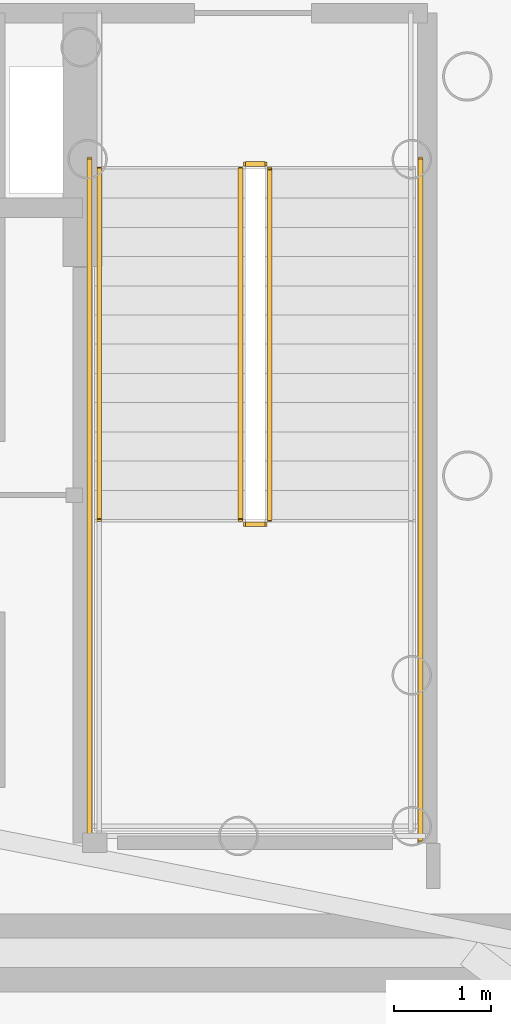
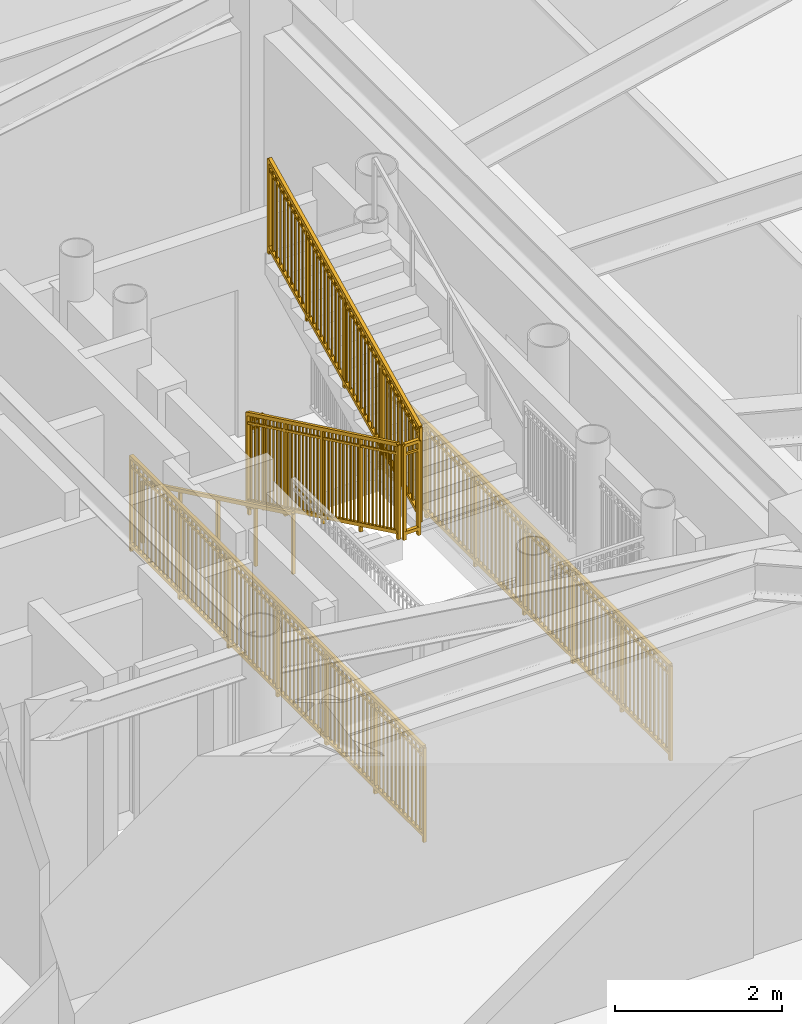
# One storey, part 20 of 21: 7 railings.
"""IFC4 building model written with IfcOpenShell, lengths in metres."""

from ifc_helpers import new_model, si_unit, direction, frame, origin, origin_2d, place, context, subcontext, project, spatial, rectangle, extrude, source, transform, mapped, material, type_object, element, save


model = new_model("IFC4")

# Units and contexts
model_context = context("Model", 3, precision=1e-05, world=origin(), true_north=direction((0.0, 1.0)))
body_context = subcontext(model_context, "Body", "Model", "MODEL_VIEW")
ifc_project = project(units=[si_unit("LENGTHUNIT", "METRE"), si_unit("AREAUNIT", "SQUARE_METRE"), si_unit("VOLUMEUNIT", "CUBIC_METRE"), si_unit("PLANEANGLEUNIT", "RADIAN"), si_unit("MASSUNIT", "GRAM", prefix="KILO")], contexts=[model_context])

# Site, building, storey
site_placement = place(None, origin())
site = spatial("IfcSite", under=ifc_project, at=site_placement, CompositionType="ELEMENT")
building_placement = place(site_placement, origin())
building = spatial("IfcBuilding", under=site, at=building_placement, Name="Linh Dai School and Residence Tower", CompositionType="ELEMENT")
storey_placement = place(building_placement, frame((0.0, 0.0, 134.699951171875)))
storey = spatial("IfcBuildingStorey", under=building, at=storey_placement, Name="L32", CompositionType="ELEMENT", Elevation=134.699951171875)

# Railings
ifc_material_1 = material(Name="Structural Steel S355JR", Category="steel")
railing_type_1 = type_object("IfcRailingType", Name="RL-ST-GUARD-1400", PredefinedType="GUARDRAIL", material=ifc_material_1)
shared_shape_1 = source(origin(), body_context, "Body", "SweptSolid", [
    extrude(rectangle(XDim=0.048095703125, YDim=0.048095703125, at=origin_2d()), frame((0.0, 0.0, 1.3759765625), z_axis=(0.0, 0.901262522062, 0.433273431364), x_axis=(-1.0, 0.0, 0.0)), (0.0, 0.0, 1.0), 3.994384765625),
    extrude(rectangle(XDim=0.048095703125, YDim=0.048095703125, at=origin_2d()), frame((0.0, 0.0, 0.10009765625), z_axis=(0.0, 0.901262522062, 0.433273431364), x_axis=(-1.0, 0.0, 0.0)), (0.0, 0.0, 1.0), 3.994384765625),
    extrude(rectangle(XDim=0.030029296875, YDim=0.030029296875, at=origin_2d()), frame((0.0, 0.0, 1.239990234375), z_axis=(0.0, 0.901262522062, 0.433273431364), x_axis=(-1.0, 0.0, 0.0)), (0.0, 0.0, 1.0), 3.994384765625),
    extrude(rectangle(XDim=0.02001953125, YDim=0.02001953125, at=origin_2d()), frame((0.0, 0.087890625, 0.142333984375)), (0.0, 0.0, 1.0), 1.251708984375),
    extrude(rectangle(XDim=0.02001953125, YDim=0.02001953125, at=origin_2d()), frame((0.0, 0.175537109375, 0.1845703125)), (0.0, 0.0, 1.0), 1.251708984375),
    extrude(rectangle(XDim=0.02001953125, YDim=0.02001953125, at=origin_2d()), frame((0.0, 0.263427734375, 0.226806640625)), (0.0, 0.0, 1.0), 1.251708984375),
    extrude(rectangle(XDim=0.02001953125, YDim=0.02001953125, at=origin_2d()), frame((0.0, 0.351318359375, 0.26904296875)), (0.0, 0.0, 1.0), 1.251708984375),
    extrude(rectangle(XDim=0.02001953125, YDim=0.02001953125, at=origin_2d()), frame((0.0, 0.43896484375, 0.311279296875)), (0.0, 0.0, 1.0), 1.251708984375),
    extrude(rectangle(XDim=0.02001953125, YDim=0.02001953125, at=origin_2d()), frame((0.0, 0.52685546875, 0.353271484375)), (0.0, 0.0, 1.0), 1.251708984375),
    extrude(rectangle(XDim=0.02001953125, YDim=0.02001953125, at=origin_2d()), frame((0.0, 0.61474609375, 0.3955078125)), (0.0, 0.0, 1.0), 1.251708984375),
    extrude(rectangle(XDim=0.02001953125, YDim=0.02001953125, at=origin_2d()), frame((0.0, 0.702392578125, 0.437744140625)), (0.0, 0.0, 1.0), 1.251708984375),
    extrude(rectangle(XDim=0.02001953125, YDim=0.02001953125, at=origin_2d()), frame((0.0, 0.790283203125, 0.47998046875)), (0.0, 0.0, 1.0), 1.251708984375),
    extrude(rectangle(XDim=0.02001953125, YDim=0.02001953125, at=origin_2d()), frame((0.0, 0.9658203125, 0.564453125)), (0.0, 0.0, 1.0), 1.251708984375),
    extrude(rectangle(XDim=0.02001953125, YDim=0.02001953125, at=origin_2d()), frame((0.0, 1.0537109375, 0.606689453125)), (0.0, 0.0, 1.0), 1.251708984375),
    extrude(rectangle(XDim=0.02001953125, YDim=0.02001953125, at=origin_2d()), frame((0.0, 1.1416015625, 0.64892578125)), (0.0, 0.0, 1.0), 1.251708984375),
    extrude(rectangle(XDim=0.02001953125, YDim=0.02001953125, at=origin_2d()), frame((0.0, 1.229248046875, 0.691162109375)), (0.0, 0.0, 1.0), 1.251708984375),
    extrude(rectangle(XDim=0.02001953125, YDim=0.02001953125, at=origin_2d()), frame((0.0, 1.317138671875, 0.7333984375)), (0.0, 0.0, 1.0), 1.251708984375),
    extrude(rectangle(XDim=0.02001953125, YDim=0.02001953125, at=origin_2d()), frame((0.0, 1.405029296875, 0.775390625)), (0.0, 0.0, 1.0), 1.251708984375),
    extrude(rectangle(XDim=0.02001953125, YDim=0.02001953125, at=origin_2d()), frame((0.0, 1.49267578125, 0.817626953125)), (0.0, 0.0, 1.0), 1.251708984375),
    extrude(rectangle(XDim=0.02001953125, YDim=0.02001953125, at=origin_2d()), frame((0.0, 1.58056640625, 0.85986328125)), (0.0, 0.0, 1.0), 1.251708984375),
    extrude(rectangle(XDim=0.02001953125, YDim=0.02001953125, at=origin_2d()), frame((0.0, 1.66845703125, 0.902099609375)), (0.0, 0.0, 1.0), 1.251708984375),
    extrude(rectangle(XDim=0.02001953125, YDim=0.02001953125, at=origin_2d()), frame((0.0, 1.756103515625, 0.9443359375)), (0.0, 0.0, 1.0), 1.251708984375),
    extrude(rectangle(XDim=0.02001953125, YDim=0.02001953125, at=origin_2d()), frame((0.0, 1.843994140625, 0.986572265625)), (0.0, 0.0, 1.0), 1.251708984375),
    extrude(rectangle(XDim=0.02001953125, YDim=0.02001953125, at=origin_2d()), frame((0.0, 1.931640625, 1.02880859375)), (0.0, 0.0, 1.0), 1.251708984375),
    extrude(rectangle(XDim=0.02001953125, YDim=0.02001953125, at=origin_2d()), frame((0.0, 2.01953125, 1.071044921875)), (0.0, 0.0, 1.0), 1.251708984375),
    extrude(rectangle(XDim=0.02001953125, YDim=0.02001953125, at=origin_2d()), frame((0.0, 2.107421875, 1.11328125)), (0.0, 0.0, 1.0), 1.251708984375),
    extrude(rectangle(XDim=0.02001953125, YDim=0.02001953125, at=origin_2d()), frame((0.0, 2.195068359375, 1.155517578125)), (0.0, 0.0, 1.0), 1.251708984375),
    extrude(rectangle(XDim=0.02001953125, YDim=0.02001953125, at=origin_2d()), frame((0.0, 2.282958984375, 1.197509765625)), (0.0, 0.0, 1.0), 1.251708984375),
    extrude(rectangle(XDim=0.02001953125, YDim=0.02001953125, at=origin_2d()), frame((0.0, 2.370849609375, 1.23974609375)), (0.0, 0.0, 1.0), 1.251708984375),
    extrude(rectangle(XDim=0.02001953125, YDim=0.02001953125, at=origin_2d()), frame((0.0, 2.45849609375, 1.281982421875)), (0.0, 0.0, 1.0), 1.251708984375),
    extrude(rectangle(XDim=0.02001953125, YDim=0.02001953125, at=origin_2d()), frame((0.0, 2.54638671875, 1.32421875)), (0.0, 0.0, 1.0), 1.251708984375),
    extrude(rectangle(XDim=0.02001953125, YDim=0.02001953125, at=origin_2d()), frame((0.0, 2.63427734375, 1.366455078125)), (0.0, 0.0, 1.0), 1.251708984375),
    extrude(rectangle(XDim=0.02001953125, YDim=0.02001953125, at=origin_2d()), frame((0.0, 2.809814453125, 1.450927734375)), (0.0, 0.0, 1.0), 1.251708984375),
    extrude(rectangle(XDim=0.02001953125, YDim=0.02001953125, at=origin_2d()), frame((0.0, 2.897705078125, 1.4931640625)), (0.0, 0.0, 1.0), 1.251708984375),
    extrude(rectangle(XDim=0.02001953125, YDim=0.02001953125, at=origin_2d()), frame((0.0, 2.9853515625, 1.535400390625)), (0.0, 0.0, 1.0), 1.251708984375),
    extrude(rectangle(XDim=0.02001953125, YDim=0.02001953125, at=origin_2d()), frame((0.0, 3.0732421875, 1.57763671875)), (0.0, 0.0, 1.0), 1.251708984375),
    extrude(rectangle(XDim=0.02001953125, YDim=0.02001953125, at=origin_2d()), frame((0.0, 3.1611328125, 1.61962890625)), (0.0, 0.0, 1.0), 1.251708984375),
    extrude(rectangle(XDim=0.02001953125, YDim=0.02001953125, at=origin_2d()), frame((0.0, 3.248779296875, 1.661865234375)), (0.0, 0.0, 1.0), 1.251708984375),
    extrude(rectangle(XDim=0.02001953125, YDim=0.02001953125, at=origin_2d()), frame((0.0, 3.336669921875, 1.7041015625)), (0.0, 0.0, 1.0), 1.251708984375),
    extrude(rectangle(XDim=0.02001953125, YDim=0.02001953125, at=origin_2d()), frame((0.0, 3.424560546875, 1.746337890625)), (0.0, 0.0, 1.0), 1.251708984375),
    extrude(rectangle(XDim=0.02001953125, YDim=0.02001953125, at=origin_2d()), frame((0.0, 3.51220703125, 1.78857421875)), (0.0, 0.0, 1.0), 1.251708984375),
    extrude(rectangle(XDim=0.0419921875, YDim=0.0419921875, at=origin_2d()), origin(), (0.0, 0.0, 1.0), 1.3759765625),
    extrude(rectangle(XDim=0.0419921875, YDim=0.0419921875, at=origin_2d()), frame((0.0, 0.89990234375, 0.4326171875)), (0.0, 0.0, 1.0), 1.3759765625),
    extrude(rectangle(XDim=0.0419921875, YDim=0.0419921875, at=origin_2d()), frame((0.0, 1.800048828125, 0.865234375)), (0.0, 0.0, 1.0), 1.3759765625),
    extrude(rectangle(XDim=0.0419921875, YDim=0.0419921875, at=origin_2d()), frame((0.0, 2.7001953125, 1.298095703125)), (0.0, 0.0, 1.0), 1.3759765625),
    extrude(rectangle(XDim=0.0419921875, YDim=0.0419921875, at=origin_2d()), frame((0.0, 3.60009765625, 1.730712890625)), (0.0, 0.0, 1.0), 1.3759765625),
])
railing_1_placement = place(storey_placement, frame((42.820068359375, 24.64990234375, 2.019287109375)))
element("IfcRailing", 1, at=railing_1_placement, inside=storey, type_object=railing_type_1, Name="L32 ST2 stair guard 6", PredefinedType="GUARDRAIL", context=body_context, shape_type="MappedRepresentation", body=[
    mapped(shared_shape_1, transform((0.0, 0.0, 0.0), x_axis=(1.0, 0.0, 0.0), y_axis=(0.0, 1.0, 0.0), z_axis=(0.0, 0.0, 1.0), scale=1.0)),
])
shared_shape_2 = source(origin(), body_context, "Body", "SweptSolid", [
    extrude(rectangle(XDim=0.048095703125, YDim=0.048095703125, at=origin_2d()), frame((0.0, 0.0, 1.3759765625), z_axis=(0.0, -0.901262522062, 0.433273431364), x_axis=(1.0, 0.0, 0.0)), (0.0, 0.0, 1.0), 3.994384765625),
    extrude(rectangle(XDim=0.048095703125, YDim=0.048095703125, at=origin_2d()), frame((0.0, 0.0, 0.10009765625), z_axis=(0.0, -0.901262522062, 0.433273431364), x_axis=(1.0, 0.0, 0.0)), (0.0, 0.0, 1.0), 3.994384765625),
    extrude(rectangle(XDim=0.030029296875, YDim=0.030029296875, at=origin_2d()), frame((0.0, 0.0, 1.239990234375), z_axis=(0.0, -0.901262522062, 0.433273431364), x_axis=(1.0, 0.0, 0.0)), (0.0, 0.0, 1.0), 3.994384765625),
    extrude(rectangle(XDim=0.02001953125, YDim=0.02001953125, at=origin_2d()), frame((0.0, -0.087890625, 0.142333984375)), (0.0, 0.0, 1.0), 1.251708984375),
    extrude(rectangle(XDim=0.02001953125, YDim=0.02001953125, at=origin_2d()), frame((0.0, -0.175537109375, 0.1845703125)), (0.0, 0.0, 1.0), 1.251708984375),
    extrude(rectangle(XDim=0.02001953125, YDim=0.02001953125, at=origin_2d()), frame((0.0, -0.263427734375, 0.226806640625)), (0.0, 0.0, 1.0), 1.251708984375),
    extrude(rectangle(XDim=0.02001953125, YDim=0.02001953125, at=origin_2d()), frame((0.0, -0.351318359375, 0.26904296875)), (0.0, 0.0, 1.0), 1.251708984375),
    extrude(rectangle(XDim=0.02001953125, YDim=0.02001953125, at=origin_2d()), frame((0.0, -0.43896484375, 0.311279296875)), (0.0, 0.0, 1.0), 1.251708984375),
    extrude(rectangle(XDim=0.02001953125, YDim=0.02001953125, at=origin_2d()), frame((0.0, -0.52685546875, 0.353271484375)), (0.0, 0.0, 1.0), 1.251708984375),
    extrude(rectangle(XDim=0.02001953125, YDim=0.02001953125, at=origin_2d()), frame((0.0, -0.61474609375, 0.3955078125)), (0.0, 0.0, 1.0), 1.251708984375),
    extrude(rectangle(XDim=0.02001953125, YDim=0.02001953125, at=origin_2d()), frame((0.0, -0.702392578125, 0.437744140625)), (0.0, 0.0, 1.0), 1.251708984375),
    extrude(rectangle(XDim=0.02001953125, YDim=0.02001953125, at=origin_2d()), frame((0.0, -0.790283203125, 0.47998046875)), (0.0, 0.0, 1.0), 1.251708984375),
    extrude(rectangle(XDim=0.02001953125, YDim=0.02001953125, at=origin_2d()), frame((0.0, -0.9658203125, 0.564453125)), (0.0, 0.0, 1.0), 1.251708984375),
    extrude(rectangle(XDim=0.02001953125, YDim=0.02001953125, at=origin_2d()), frame((0.0, -1.0537109375, 0.606689453125)), (0.0, 0.0, 1.0), 1.251708984375),
    extrude(rectangle(XDim=0.02001953125, YDim=0.02001953125, at=origin_2d()), frame((0.0, -1.1416015625, 0.64892578125)), (0.0, 0.0, 1.0), 1.251708984375),
    extrude(rectangle(XDim=0.02001953125, YDim=0.02001953125, at=origin_2d()), frame((0.0, -1.229248046875, 0.691162109375)), (0.0, 0.0, 1.0), 1.251708984375),
    extrude(rectangle(XDim=0.02001953125, YDim=0.02001953125, at=origin_2d()), frame((0.0, -1.317138671875, 0.7333984375)), (0.0, 0.0, 1.0), 1.251708984375),
    extrude(rectangle(XDim=0.02001953125, YDim=0.02001953125, at=origin_2d()), frame((0.0, -1.405029296875, 0.775390625)), (0.0, 0.0, 1.0), 1.251708984375),
    extrude(rectangle(XDim=0.02001953125, YDim=0.02001953125, at=origin_2d()), frame((0.0, -1.49267578125, 0.817626953125)), (0.0, 0.0, 1.0), 1.251708984375),
    extrude(rectangle(XDim=0.02001953125, YDim=0.02001953125, at=origin_2d()), frame((0.0, -1.58056640625, 0.85986328125)), (0.0, 0.0, 1.0), 1.251708984375),
    extrude(rectangle(XDim=0.02001953125, YDim=0.02001953125, at=origin_2d()), frame((0.0, -1.66845703125, 0.902099609375)), (0.0, 0.0, 1.0), 1.251708984375),
    extrude(rectangle(XDim=0.02001953125, YDim=0.02001953125, at=origin_2d()), frame((0.0, -1.756103515625, 0.9443359375)), (0.0, 0.0, 1.0), 1.251708984375),
    extrude(rectangle(XDim=0.02001953125, YDim=0.02001953125, at=origin_2d()), frame((0.0, -1.843994140625, 0.986572265625)), (0.0, 0.0, 1.0), 1.251708984375),
    extrude(rectangle(XDim=0.02001953125, YDim=0.02001953125, at=origin_2d()), frame((0.0, -1.931640625, 1.02880859375)), (0.0, 0.0, 1.0), 1.251708984375),
    extrude(rectangle(XDim=0.02001953125, YDim=0.02001953125, at=origin_2d()), frame((0.0, -2.01953125, 1.071044921875)), (0.0, 0.0, 1.0), 1.251708984375),
    extrude(rectangle(XDim=0.02001953125, YDim=0.02001953125, at=origin_2d()), frame((0.0, -2.107421875, 1.11328125)), (0.0, 0.0, 1.0), 1.251708984375),
    extrude(rectangle(XDim=0.02001953125, YDim=0.02001953125, at=origin_2d()), frame((0.0, -2.195068359375, 1.155517578125)), (0.0, 0.0, 1.0), 1.251708984375),
    extrude(rectangle(XDim=0.02001953125, YDim=0.02001953125, at=origin_2d()), frame((0.0, -2.282958984375, 1.197509765625)), (0.0, 0.0, 1.0), 1.251708984375),
    extrude(rectangle(XDim=0.02001953125, YDim=0.02001953125, at=origin_2d()), frame((0.0, -2.370849609375, 1.23974609375)), (0.0, 0.0, 1.0), 1.251708984375),
    extrude(rectangle(XDim=0.02001953125, YDim=0.02001953125, at=origin_2d()), frame((0.0, -2.45849609375, 1.281982421875)), (0.0, 0.0, 1.0), 1.251708984375),
    extrude(rectangle(XDim=0.02001953125, YDim=0.02001953125, at=origin_2d()), frame((0.0, -2.54638671875, 1.32421875)), (0.0, 0.0, 1.0), 1.251708984375),
    extrude(rectangle(XDim=0.02001953125, YDim=0.02001953125, at=origin_2d()), frame((0.0, -2.63427734375, 1.366455078125)), (0.0, 0.0, 1.0), 1.251708984375),
    extrude(rectangle(XDim=0.02001953125, YDim=0.02001953125, at=origin_2d()), frame((0.0, -2.809814453125, 1.450927734375)), (0.0, 0.0, 1.0), 1.251708984375),
    extrude(rectangle(XDim=0.02001953125, YDim=0.02001953125, at=origin_2d()), frame((0.0, -2.897705078125, 1.4931640625)), (0.0, 0.0, 1.0), 1.251708984375),
    extrude(rectangle(XDim=0.02001953125, YDim=0.02001953125, at=origin_2d()), frame((0.0, -2.9853515625, 1.535400390625)), (0.0, 0.0, 1.0), 1.251708984375),
    extrude(rectangle(XDim=0.02001953125, YDim=0.02001953125, at=origin_2d()), frame((0.0, -3.0732421875, 1.57763671875)), (0.0, 0.0, 1.0), 1.251708984375),
    extrude(rectangle(XDim=0.02001953125, YDim=0.02001953125, at=origin_2d()), frame((0.0, -3.1611328125, 1.61962890625)), (0.0, 0.0, 1.0), 1.251708984375),
    extrude(rectangle(XDim=0.02001953125, YDim=0.02001953125, at=origin_2d()), frame((0.0, -3.248779296875, 1.661865234375)), (0.0, 0.0, 1.0), 1.251708984375),
    extrude(rectangle(XDim=0.02001953125, YDim=0.02001953125, at=origin_2d()), frame((0.0, -3.336669921875, 1.7041015625)), (0.0, 0.0, 1.0), 1.251708984375),
    extrude(rectangle(XDim=0.02001953125, YDim=0.02001953125, at=origin_2d()), frame((0.0, -3.424560546875, 1.746337890625)), (0.0, 0.0, 1.0), 1.251708984375),
    extrude(rectangle(XDim=0.02001953125, YDim=0.02001953125, at=origin_2d()), frame((0.0, -3.51220703125, 1.78857421875)), (0.0, 0.0, 1.0), 1.251708984375),
    extrude(rectangle(XDim=0.0419921875, YDim=0.0419921875, at=origin_2d()), origin(), (0.0, 0.0, 1.0), 1.3759765625),
    extrude(rectangle(XDim=0.0419921875, YDim=0.0419921875, at=origin_2d()), frame((0.0, -0.89990234375, 0.4326171875)), (0.0, 0.0, 1.0), 1.3759765625),
    extrude(rectangle(XDim=0.0419921875, YDim=0.0419921875, at=origin_2d()), frame((0.0, -1.800048828125, 0.865234375)), (0.0, 0.0, 1.0), 1.3759765625),
    extrude(rectangle(XDim=0.0419921875, YDim=0.0419921875, at=origin_2d()), frame((0.0, -2.7001953125, 1.298095703125)), (0.0, 0.0, 1.0), 1.3759765625),
    extrude(rectangle(XDim=0.0419921875, YDim=0.0419921875, at=origin_2d()), frame((0.0, -3.60009765625, 1.730712890625)), (0.0, 0.0, 1.0), 1.3759765625),
])
railing_2_placement = place(storey_placement, frame((42.52001953125, 28.25, 0.144287109375)))
element("IfcRailing", 2, at=railing_2_placement, inside=storey, type_object=railing_type_1, Name="L32 ST2 stair guard 1", PredefinedType="GUARDRAIL", context=body_context, shape_type="MappedRepresentation", body=[
    mapped(shared_shape_2, transform((0.0, 0.0, 0.0), x_axis=(1.0, 0.0, 0.0), y_axis=(0.0, 1.0, 0.0), z_axis=(0.0, 0.0, 1.0), scale=1.0)),
])
ifc_material_2 = material(Name="Brushed Stainless Steel Handrail", Category="steel")
railing_type_2 = type_object("IfcRailingType", Name="RL-ST-HANDRAIL-900", PredefinedType="HANDRAIL", material=ifc_material_2)
shared_shape_3 = source(origin(), body_context, "Body", "SweptSolid", [
    extrude(rectangle(XDim=0.048095703125, YDim=0.048095703125, at=origin_2d()), frame((0.0, 0.0, 0.8759765625), z_axis=(0.0, -0.901262522062, 0.433273431364), x_axis=(1.0, 0.0, 0.0)), (0.0, 0.0, 1.0), 3.994384765625),
    extrude(rectangle(XDim=0.0419921875, YDim=0.0419921875, at=origin_2d()), origin(), (0.0, 0.0, 1.0), 0.8759765625),
    extrude(rectangle(XDim=0.0419921875, YDim=0.0419921875, at=origin_2d()), frame((0.0, -0.89990234375, 0.4326171875)), (0.0, 0.0, 1.0), 0.8759765625),
    extrude(rectangle(XDim=0.0419921875, YDim=0.0419921875, at=origin_2d()), frame((0.0, -1.800048828125, 0.865234375)), (0.0, 0.0, 1.0), 0.8759765625),
    extrude(rectangle(XDim=0.0419921875, YDim=0.0419921875, at=origin_2d()), frame((0.0, -2.7001953125, 1.298095703125)), (0.0, 0.0, 1.0), 0.8759765625),
    extrude(rectangle(XDim=0.0419921875, YDim=0.0419921875, at=origin_2d()), frame((0.0, -3.60009765625, 1.730712890625)), (0.0, 0.0, 1.0), 0.8759765625),
])
railing_3_placement = place(storey_placement, frame((41.070068359375, 28.25, 0.144287109375)))
element("IfcRailing", 3, at=railing_3_placement, inside=storey, type_object=railing_type_2, Name="L32 ST2 stair handrail 1", PredefinedType="HANDRAIL", context=body_context, shape_type="MappedRepresentation", body=[
    mapped(shared_shape_3, transform((0.0, 0.0, 0.0), x_axis=(1.0, 0.0, 0.0), y_axis=(0.0, 1.0, 0.0), z_axis=(0.0, 0.0, 1.0), scale=1.0)),
])
shared_shape_4 = source(origin(), body_context, "Body", "SweptSolid", [
    extrude(rectangle(XDim=0.048095703125, YDim=0.048095703125, at=origin_2d()), frame((0.0, 0.0, 1.3759765625), z_axis=(1.0, 0.0, 0.0), x_axis=(0.0, 1.0, 0.0)), (0.0, 0.0, 1.0), 0.199951171875),
    extrude(rectangle(XDim=0.048095703125, YDim=0.048095703125, at=origin_2d()), frame((0.0, 0.0, 0.10009765625), z_axis=(1.0, 0.0, 0.0), x_axis=(0.0, 1.0, 0.0)), (0.0, 0.0, 1.0), 0.199951171875),
    extrude(rectangle(XDim=0.030029296875, YDim=0.030029296875, at=origin_2d()), frame((0.0, 0.0, 1.239990234375), z_axis=(1.0, 0.0, 0.0), x_axis=(0.0, 1.0, 0.0)), (0.0, 0.0, 1.0), 0.199951171875),
    extrude(rectangle(XDim=0.0419921875, YDim=0.0419921875, at=origin_2d()), origin(), (0.0, 0.0, 1.0), 1.3759765625),
    extrude(rectangle(XDim=0.0419921875, YDim=0.0419921875, at=origin_2d()), frame((0.199951171875, 0.0, 0.0)), (0.0, 0.0, 1.0), 1.3759765625),
])
for number, where, name in (
    (4, (42.570068359375, 24.60009765625, 1.875), "L32 ST2 stair guard 2"),
    (5, (42.570068359375, 28.300048828125, 0.0), "L32 ST2 stair guard 7"),
):
    element("IfcRailing", number, at=place(storey_placement, frame(where)), inside=storey, type_object=railing_type_1, Name=name, PredefinedType="GUARDRAIL", context=body_context, shape_type="MappedRepresentation", body=[
        mapped(shared_shape_4, transform((0.0, 0.0, 0.0), x_axis=(1.0, 0.0, 0.0), y_axis=(0.0, 1.0, 0.0), z_axis=(0.0, 0.0, 1.0), scale=1.0)),
    ])
shared_shape_5 = source(origin(), body_context, "Body", "SweptSolid", [
    extrude(rectangle(XDim=0.048095703125, YDim=0.048095703125, at=origin_2d()), frame((0.0, 0.0, 1.3759765625), z_axis=(0.0, -1.0, 0.0), x_axis=(1.0, 0.0, 0.0)), (0.0, 0.0, 1.0), 7.0),
    extrude(rectangle(XDim=0.048095703125, YDim=0.048095703125, at=origin_2d()), frame((0.0, 0.0, 0.10009765625), z_axis=(0.0, -1.0, 0.0), x_axis=(1.0, 0.0, 0.0)), (0.0, 0.0, 1.0), 7.0),
    extrude(rectangle(XDim=0.030029296875, YDim=0.030029296875, at=origin_2d()), frame((0.0, 0.0, 1.239990234375), z_axis=(0.0, -1.0, 0.0), x_axis=(1.0, 0.0, 0.0)), (0.0, 0.0, 1.0), 7.0),
    extrude(rectangle(XDim=0.02001953125, YDim=0.02001953125, at=origin_2d()), frame((0.0, -0.09716796875, 0.10009765625)), (0.0, 0.0, 1.0), 1.251708984375),
    extrude(rectangle(XDim=0.02001953125, YDim=0.02001953125, at=origin_2d()), frame((0.0, -0.1943359375, 0.10009765625)), (0.0, 0.0, 1.0), 1.251708984375),
    extrude(rectangle(XDim=0.02001953125, YDim=0.02001953125, at=origin_2d()), frame((0.0, -0.291748046875, 0.10009765625)), (0.0, 0.0, 1.0), 1.251708984375),
    extrude(rectangle(XDim=0.02001953125, YDim=0.02001953125, at=origin_2d()), frame((0.0, -0.388916015625, 0.10009765625)), (0.0, 0.0, 1.0), 1.251708984375),
    extrude(rectangle(XDim=0.02001953125, YDim=0.02001953125, at=origin_2d()), frame((0.0, -0.486083984375, 0.10009765625)), (0.0, 0.0, 1.0), 1.251708984375),
    extrude(rectangle(XDim=0.02001953125, YDim=0.02001953125, at=origin_2d()), frame((0.0, -0.583251953125, 0.10009765625)), (0.0, 0.0, 1.0), 1.251708984375),
    extrude(rectangle(XDim=0.02001953125, YDim=0.02001953125, at=origin_2d()), frame((0.0, -0.6806640625, 0.10009765625)), (0.0, 0.0, 1.0), 1.251708984375),
    extrude(rectangle(XDim=0.02001953125, YDim=0.02001953125, at=origin_2d()), frame((0.0, -0.77783203125, 0.10009765625)), (0.0, 0.0, 1.0), 1.251708984375),
    extrude(rectangle(XDim=0.02001953125, YDim=0.02001953125, at=origin_2d()), frame((0.0, -0.875, 0.10009765625)), (0.0, 0.0, 1.0), 1.251708984375),
    extrude(rectangle(XDim=0.02001953125, YDim=0.02001953125, at=origin_2d()), frame((0.0, -0.97216796875, 0.10009765625)), (0.0, 0.0, 1.0), 1.251708984375),
    extrude(rectangle(XDim=0.02001953125, YDim=0.02001953125, at=origin_2d()), frame((0.0, -1.0693359375, 0.10009765625)), (0.0, 0.0, 1.0), 1.251708984375),
    extrude(rectangle(XDim=0.02001953125, YDim=0.02001953125, at=origin_2d()), frame((0.0, -1.263916015625, 0.10009765625)), (0.0, 0.0, 1.0), 1.251708984375),
    extrude(rectangle(XDim=0.02001953125, YDim=0.02001953125, at=origin_2d()), frame((0.0, -1.361083984375, 0.10009765625)), (0.0, 0.0, 1.0), 1.251708984375),
    extrude(rectangle(XDim=0.02001953125, YDim=0.02001953125, at=origin_2d()), frame((0.0, -1.458251953125, 0.10009765625)), (0.0, 0.0, 1.0), 1.251708984375),
    extrude(rectangle(XDim=0.02001953125, YDim=0.02001953125, at=origin_2d()), frame((0.0, -1.5556640625, 0.10009765625)), (0.0, 0.0, 1.0), 1.251708984375),
    extrude(rectangle(XDim=0.02001953125, YDim=0.02001953125, at=origin_2d()), frame((0.0, -1.65283203125, 0.10009765625)), (0.0, 0.0, 1.0), 1.251708984375),
    extrude(rectangle(XDim=0.02001953125, YDim=0.02001953125, at=origin_2d()), frame((0.0, -1.75, 0.10009765625)), (0.0, 0.0, 1.0), 1.251708984375),
    extrude(rectangle(XDim=0.02001953125, YDim=0.02001953125, at=origin_2d()), frame((0.0, -1.84716796875, 0.10009765625)), (0.0, 0.0, 1.0), 1.251708984375),
    extrude(rectangle(XDim=0.02001953125, YDim=0.02001953125, at=origin_2d()), frame((0.0, -1.9443359375, 0.10009765625)), (0.0, 0.0, 1.0), 1.251708984375),
    extrude(rectangle(XDim=0.02001953125, YDim=0.02001953125, at=origin_2d()), frame((0.0, -2.041748046875, 0.10009765625)), (0.0, 0.0, 1.0), 1.251708984375),
    extrude(rectangle(XDim=0.02001953125, YDim=0.02001953125, at=origin_2d()), frame((0.0, -2.138916015625, 0.10009765625)), (0.0, 0.0, 1.0), 1.251708984375),
    extrude(rectangle(XDim=0.02001953125, YDim=0.02001953125, at=origin_2d()), frame((0.0, -2.236083984375, 0.10009765625)), (0.0, 0.0, 1.0), 1.251708984375),
    extrude(rectangle(XDim=0.02001953125, YDim=0.02001953125, at=origin_2d()), frame((0.0, -2.4306640625, 0.10009765625)), (0.0, 0.0, 1.0), 1.251708984375),
    extrude(rectangle(XDim=0.02001953125, YDim=0.02001953125, at=origin_2d()), frame((0.0, -2.52783203125, 0.10009765625)), (0.0, 0.0, 1.0), 1.251708984375),
    extrude(rectangle(XDim=0.02001953125, YDim=0.02001953125, at=origin_2d()), frame((0.0, -2.625, 0.10009765625)), (0.0, 0.0, 1.0), 1.251708984375),
    extrude(rectangle(XDim=0.02001953125, YDim=0.02001953125, at=origin_2d()), frame((0.0, -2.72216796875, 0.10009765625)), (0.0, 0.0, 1.0), 1.251708984375),
    extrude(rectangle(XDim=0.02001953125, YDim=0.02001953125, at=origin_2d()), frame((0.0, -2.8193359375, 0.10009765625)), (0.0, 0.0, 1.0), 1.251708984375),
    extrude(rectangle(XDim=0.02001953125, YDim=0.02001953125, at=origin_2d()), frame((0.0, -2.916748046875, 0.10009765625)), (0.0, 0.0, 1.0), 1.251708984375),
    extrude(rectangle(XDim=0.02001953125, YDim=0.02001953125, at=origin_2d()), frame((0.0, -3.013916015625, 0.10009765625)), (0.0, 0.0, 1.0), 1.251708984375),
    extrude(rectangle(XDim=0.02001953125, YDim=0.02001953125, at=origin_2d()), frame((0.0, -3.111083984375, 0.10009765625)), (0.0, 0.0, 1.0), 1.251708984375),
    extrude(rectangle(XDim=0.02001953125, YDim=0.02001953125, at=origin_2d()), frame((0.0, -3.208251953125, 0.10009765625)), (0.0, 0.0, 1.0), 1.251708984375),
    extrude(rectangle(XDim=0.02001953125, YDim=0.02001953125, at=origin_2d()), frame((0.0, -3.3056640625, 0.10009765625)), (0.0, 0.0, 1.0), 1.251708984375),
    extrude(rectangle(XDim=0.02001953125, YDim=0.02001953125, at=origin_2d()), frame((0.0, -3.40283203125, 0.10009765625)), (0.0, 0.0, 1.0), 1.251708984375),
    extrude(rectangle(XDim=0.02001953125, YDim=0.02001953125, at=origin_2d()), frame((0.0, -3.59716796875, 0.10009765625)), (0.0, 0.0, 1.0), 1.251708984375),
    extrude(rectangle(XDim=0.02001953125, YDim=0.02001953125, at=origin_2d()), frame((0.0, -3.6943359375, 0.10009765625)), (0.0, 0.0, 1.0), 1.251708984375),
    extrude(rectangle(XDim=0.02001953125, YDim=0.02001953125, at=origin_2d()), frame((0.0, -3.791748046875, 0.10009765625)), (0.0, 0.0, 1.0), 1.251708984375),
    extrude(rectangle(XDim=0.02001953125, YDim=0.02001953125, at=origin_2d()), frame((0.0, -3.888916015625, 0.10009765625)), (0.0, 0.0, 1.0), 1.251708984375),
    extrude(rectangle(XDim=0.02001953125, YDim=0.02001953125, at=origin_2d()), frame((0.0, -3.986083984375, 0.10009765625)), (0.0, 0.0, 1.0), 1.251708984375),
    extrude(rectangle(XDim=0.02001953125, YDim=0.02001953125, at=origin_2d()), frame((0.0, -4.083251953125, 0.10009765625)), (0.0, 0.0, 1.0), 1.251708984375),
    extrude(rectangle(XDim=0.02001953125, YDim=0.02001953125, at=origin_2d()), frame((0.0, -4.1806640625, 0.10009765625)), (0.0, 0.0, 1.0), 1.251708984375),
    extrude(rectangle(XDim=0.02001953125, YDim=0.02001953125, at=origin_2d()), frame((0.0, -4.27783203125, 0.10009765625)), (0.0, 0.0, 1.0), 1.251708984375),
    extrude(rectangle(XDim=0.02001953125, YDim=0.02001953125, at=origin_2d()), frame((0.0, -4.375, 0.10009765625)), (0.0, 0.0, 1.0), 1.251708984375),
    extrude(rectangle(XDim=0.02001953125, YDim=0.02001953125, at=origin_2d()), frame((0.0, -4.47216796875, 0.10009765625)), (0.0, 0.0, 1.0), 1.251708984375),
    extrude(rectangle(XDim=0.02001953125, YDim=0.02001953125, at=origin_2d()), frame((0.0, -4.5693359375, 0.10009765625)), (0.0, 0.0, 1.0), 1.251708984375),
    extrude(rectangle(XDim=0.02001953125, YDim=0.02001953125, at=origin_2d()), frame((0.0, -4.763916015625, 0.10009765625)), (0.0, 0.0, 1.0), 1.251708984375),
    extrude(rectangle(XDim=0.02001953125, YDim=0.02001953125, at=origin_2d()), frame((0.0, -4.861083984375, 0.10009765625)), (0.0, 0.0, 1.0), 1.251708984375),
    extrude(rectangle(XDim=0.02001953125, YDim=0.02001953125, at=origin_2d()), frame((0.0, -4.958251953125, 0.10009765625)), (0.0, 0.0, 1.0), 1.251708984375),
    extrude(rectangle(XDim=0.02001953125, YDim=0.02001953125, at=origin_2d()), frame((0.0, -5.0556640625, 0.10009765625)), (0.0, 0.0, 1.0), 1.251708984375),
    extrude(rectangle(XDim=0.02001953125, YDim=0.02001953125, at=origin_2d()), frame((0.0, -5.15283203125, 0.10009765625)), (0.0, 0.0, 1.0), 1.251708984375),
    extrude(rectangle(XDim=0.02001953125, YDim=0.02001953125, at=origin_2d()), frame((0.0, -5.25, 0.10009765625)), (0.0, 0.0, 1.0), 1.251708984375),
    extrude(rectangle(XDim=0.02001953125, YDim=0.02001953125, at=origin_2d()), frame((0.0, -5.34716796875, 0.10009765625)), (0.0, 0.0, 1.0), 1.251708984375),
    extrude(rectangle(XDim=0.02001953125, YDim=0.02001953125, at=origin_2d()), frame((0.0, -5.4443359375, 0.10009765625)), (0.0, 0.0, 1.0), 1.251708984375),
    extrude(rectangle(XDim=0.02001953125, YDim=0.02001953125, at=origin_2d()), frame((0.0, -5.541748046875, 0.10009765625)), (0.0, 0.0, 1.0), 1.251708984375),
    extrude(rectangle(XDim=0.02001953125, YDim=0.02001953125, at=origin_2d()), frame((0.0, -5.638916015625, 0.10009765625)), (0.0, 0.0, 1.0), 1.251708984375),
    extrude(rectangle(XDim=0.02001953125, YDim=0.02001953125, at=origin_2d()), frame((0.0, -5.736083984375, 0.10009765625)), (0.0, 0.0, 1.0), 1.251708984375),
    extrude(rectangle(XDim=0.02001953125, YDim=0.02001953125, at=origin_2d()), frame((0.0, -5.9306640625, 0.10009765625)), (0.0, 0.0, 1.0), 1.251708984375),
    extrude(rectangle(XDim=0.02001953125, YDim=0.02001953125, at=origin_2d()), frame((0.0, -6.02783203125, 0.10009765625)), (0.0, 0.0, 1.0), 1.251708984375),
    extrude(rectangle(XDim=0.02001953125, YDim=0.02001953125, at=origin_2d()), frame((0.0, -6.125, 0.10009765625)), (0.0, 0.0, 1.0), 1.251708984375),
    extrude(rectangle(XDim=0.02001953125, YDim=0.02001953125, at=origin_2d()), frame((0.0, -6.22216796875, 0.10009765625)), (0.0, 0.0, 1.0), 1.251708984375),
    extrude(rectangle(XDim=0.02001953125, YDim=0.02001953125, at=origin_2d()), frame((0.0, -6.3193359375, 0.10009765625)), (0.0, 0.0, 1.0), 1.251708984375),
    extrude(rectangle(XDim=0.02001953125, YDim=0.02001953125, at=origin_2d()), frame((0.0, -6.416748046875, 0.10009765625)), (0.0, 0.0, 1.0), 1.251708984375),
    extrude(rectangle(XDim=0.02001953125, YDim=0.02001953125, at=origin_2d()), frame((0.0, -6.513916015625, 0.10009765625)), (0.0, 0.0, 1.0), 1.251708984375),
    extrude(rectangle(XDim=0.02001953125, YDim=0.02001953125, at=origin_2d()), frame((0.0, -6.611083984375, 0.10009765625)), (0.0, 0.0, 1.0), 1.251708984375),
    extrude(rectangle(XDim=0.02001953125, YDim=0.02001953125, at=origin_2d()), frame((0.0, -6.708251953125, 0.10009765625)), (0.0, 0.0, 1.0), 1.251708984375),
    extrude(rectangle(XDim=0.02001953125, YDim=0.02001953125, at=origin_2d()), frame((0.0, -6.8056640625, 0.10009765625)), (0.0, 0.0, 1.0), 1.251708984375),
    extrude(rectangle(XDim=0.02001953125, YDim=0.02001953125, at=origin_2d()), frame((0.0, -6.90283203125, 0.10009765625)), (0.0, 0.0, 1.0), 1.251708984375),
    extrude(rectangle(XDim=0.0419921875, YDim=0.0419921875, at=origin_2d()), origin(), (0.0, 0.0, 1.0), 1.3759765625),
    extrude(rectangle(XDim=0.0419921875, YDim=0.0419921875, at=origin_2d()), frame((0.0, -1.166748046875, 0.0)), (0.0, 0.0, 1.0), 1.3759765625),
    extrude(rectangle(XDim=0.0419921875, YDim=0.0419921875, at=origin_2d()), frame((0.0, -2.333251953125, 0.0)), (0.0, 0.0, 1.0), 1.3759765625),
    extrude(rectangle(XDim=0.0419921875, YDim=0.0419921875, at=origin_2d()), frame((0.0, -3.5, 0.0)), (0.0, 0.0, 1.0), 1.3759765625),
    extrude(rectangle(XDim=0.0419921875, YDim=0.0419921875, at=origin_2d()), frame((0.0, -4.666748046875, 0.0)), (0.0, 0.0, 1.0), 1.3759765625),
    extrude(rectangle(XDim=0.0419921875, YDim=0.0419921875, at=origin_2d()), frame((0.0, -5.833251953125, 0.0)), (0.0, 0.0, 1.0), 1.3759765625),
    extrude(rectangle(XDim=0.0419921875, YDim=0.0419921875, at=origin_2d()), frame((0.0, -7.0, 0.0)), (0.0, 0.0, 1.0), 1.3759765625),
])
for number, where, name in (
    (6, (40.969970703125, 28.35009765625, 0.0), "L32 ST2 stair guard 10"),
    (7, (44.3701171875, 28.35009765625, 0.0), "L32 ST2 stair guard 11"),
):
    element("IfcRailing", number, at=place(storey_placement, frame(where)), inside=storey, type_object=railing_type_1, Name=name, PredefinedType="GUARDRAIL", context=body_context, shape_type="MappedRepresentation", body=[
        mapped(shared_shape_5, transform((0.0, 0.0, 0.0), x_axis=(1.0, 0.0, 0.0), y_axis=(0.0, 1.0, 0.0), z_axis=(0.0, 0.0, 1.0), scale=1.0)),
    ])

save(model, "model.ifc")
